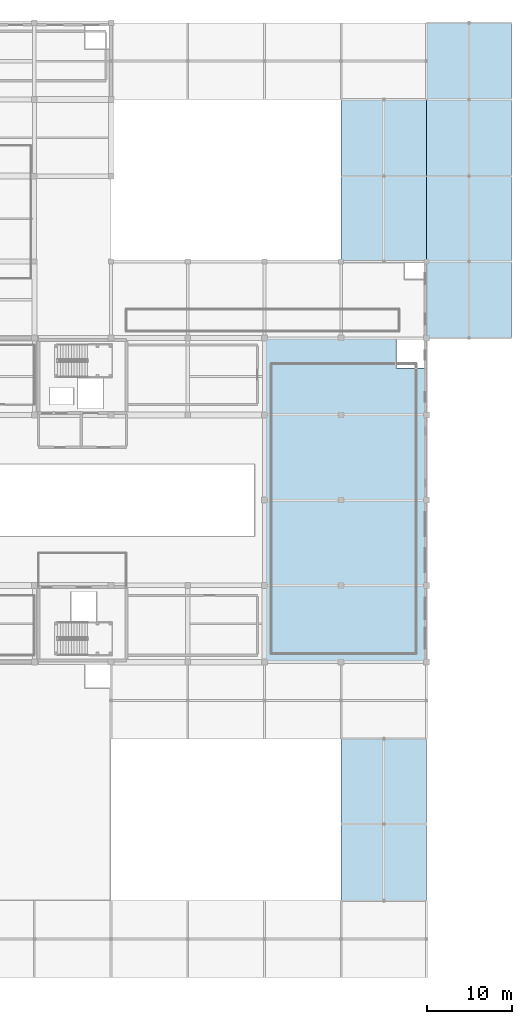
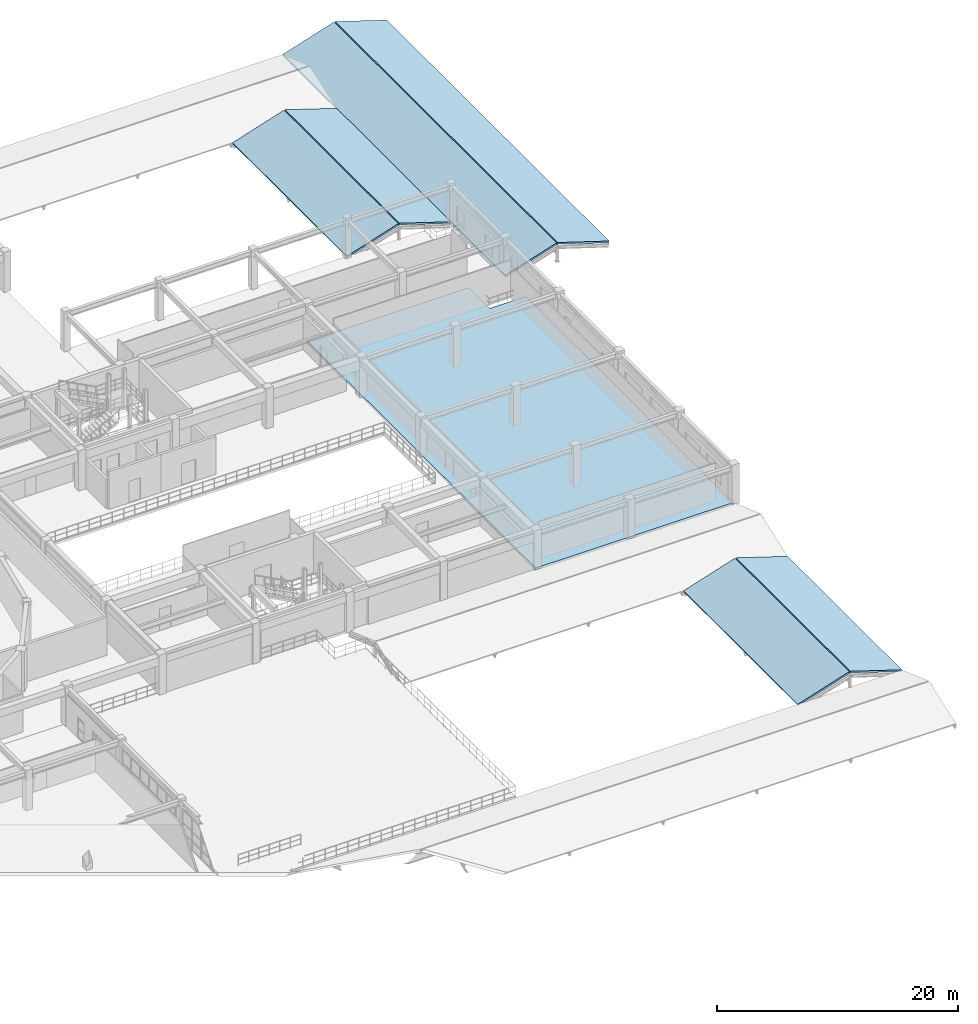
# One storey, part 88 of 110: 7 slabs.
"""IFC4 building model written with IfcOpenShell, lengths in metres."""

from ifc_helpers import new_model, si_unit, direction, frame, origin, place, context, subcontext, project, spatial, polyline, outline, extrude, material, layer, layer_set, type_object, element, save


model = new_model("IFC4")

# Units and contexts
model_context = context("Model", 3, precision=1e-05, world=origin(), true_north=direction((0.0, 1.0)))
body_context = subcontext(model_context, "Body", "Model", "MODEL_VIEW")
ifc_project = project(units=[si_unit("LENGTHUNIT", "METRE"), si_unit("AREAUNIT", "SQUARE_METRE"), si_unit("VOLUMEUNIT", "CUBIC_METRE"), si_unit("PLANEANGLEUNIT", "RADIAN"), si_unit("MASSUNIT", "GRAM", prefix="KILO")], contexts=[model_context])

# Site, building, storey
site_placement = place(None, origin())
site = spatial("IfcSite", under=ifc_project, at=site_placement, CompositionType="ELEMENT")
building_placement = place(site_placement, origin())
building = spatial("IfcBuilding", under=site, at=building_placement, Name="Miravela Opera House", CompositionType="ELEMENT")
storey_placement = place(building_placement, frame((0.0, 0.0, 13.60009765625)))
storey = spatial("IfcBuildingStorey", under=building, at=storey_placement, Name="L03", CompositionType="ELEMENT", Elevation=13.60009765625)

# Slabs
ifc_material = material(Name="Concrete C35/45", Category="concrete")
ifc_layer_1 = layer(ifc_material, 0.169921875)
ifc_layer_set_1 = layer_set([ifc_layer_1])
slab_type_1 = type_object("IfcSlabType", Name="STR-ROOF-TILE-170", PredefinedType="ROOF", material=ifc_layer_set_1)
for number, where, z_axis, x_axis, name in (
    (1, (154.0, 75.0, 0.0), (-0.304750134422, 0.0, 0.952432336478), (0.0, 1.0, 0.0), "Pitched Clay Barrel-Tile Roof Slab ROOF-V3-FAR-E Slope 1"),
    (2, (164.0, 112.0, 0.0), (0.304750134422, 0.0, 0.952432336478), (0.0, -1.0, 0.0), "Pitched Clay Barrel-Tile Roof Slab ROOF-V3-FAR-E Slope 2"),
):
    element("IfcSlab", number, at=place(storey_placement, frame(where, z_axis=z_axis, x_axis=x_axis)), inside=storey, type_object=slab_type_1, Name=name, PredefinedType="ROOF", context=body_context, shape_type="SweptSolid", body=[
        extrude(outline(polyline([(0.0, 0.0), (37.0, 0.0), (37.0, -5.192041649550709), (0.0, -5.192041649550709), (0.0, 0.0)])), origin(), (0.0, 0.0, -1.0), 0.169921875),
    ])
for number, where, z_axis, x_axis, name in (
    (3, (144.0, 9.0, 0.0), (-0.304750134422, 0.0, 0.952432336478), (0.0, 1.0, 0.0), "Pitched Clay Barrel-Tile Roof Slab ROOF-V4-EAST-M Slope 1"),
    (4, (154.0, 28.0, 0.0), (0.304750134422, 0.0, 0.952432336478), (0.0, -1.0, 0.0), "Pitched Clay Barrel-Tile Roof Slab ROOF-V4-EAST-M Slope 2"),
    (5, (144.0, 84.0, 0.0), (-0.304750134422, 0.0, 0.952432336478), (0.0, 1.0, 0.0), "Pitched Clay Barrel-Tile Roof Slab ROOF-V3-EAST-M Slope 1"),
    (6, (154.0, 103.0, 0.0), (0.304750134422, 0.0, 0.952432336478), (0.0, -1.0, 0.0), "Pitched Clay Barrel-Tile Roof Slab ROOF-V3-EAST-M Slope 2"),
):
    element("IfcSlab", number, at=place(storey_placement, frame(where, z_axis=z_axis, x_axis=x_axis)), inside=storey, type_object=slab_type_1, Name=name, PredefinedType="ROOF", context=body_context, shape_type="SweptSolid", body=[
        extrude(outline(polyline([(0.0, 0.0), (19.0, 0.0), (19.0, -5.192041649550709), (0.0, -5.192041649550709), (0.0, 0.0)])), origin(), (0.0, 0.0, -1.0), 0.169921875),
    ])
ifc_layer_2 = layer(ifc_material, 0.239990234375)
ifc_layer_set_2 = layer_set([ifc_layer_2])
slab_type_2 = type_object("IfcSlabType", Name="STR-SLAB-FLR-240", PredefinedType="FLOOR", material=ifc_layer_set_2)
slab_placement = place(storey_placement, frame((0.0, 0.0, -0.239990234375)))
element("IfcSlab", 7, at=slab_placement, inside=storey, type_object=slab_type_2, Name="Level L03 Floor Slab SLAB-L03-V2E", PredefinedType="FLOOR", context=body_context, shape_type="SweptSolid", body=[
    extrude(outline(polyline([(135.0, 37.0), (154.0, 37.0), (154.0, 71.5), (150.5, 71.5), (150.5, 75.0), (135.0, 75.0), (135.0, 37.0)])), origin(), (0.0, 0.0, 1.0), 0.239990234375),
])

save(model, "model.ifc")
